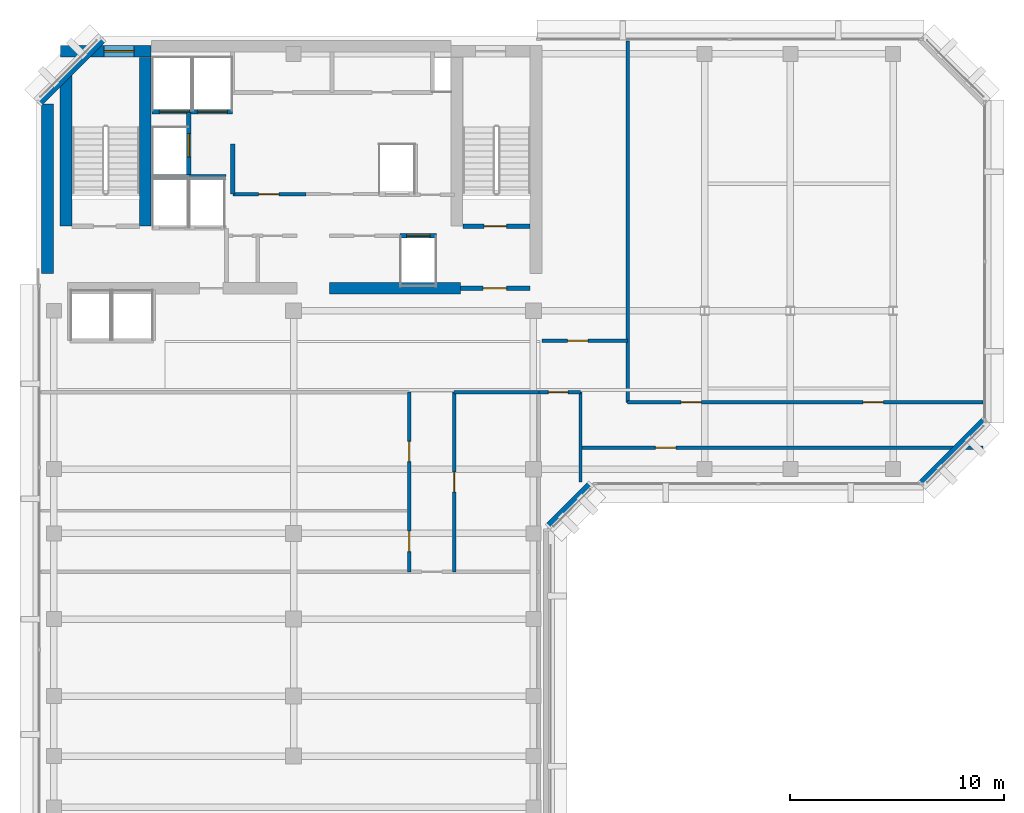
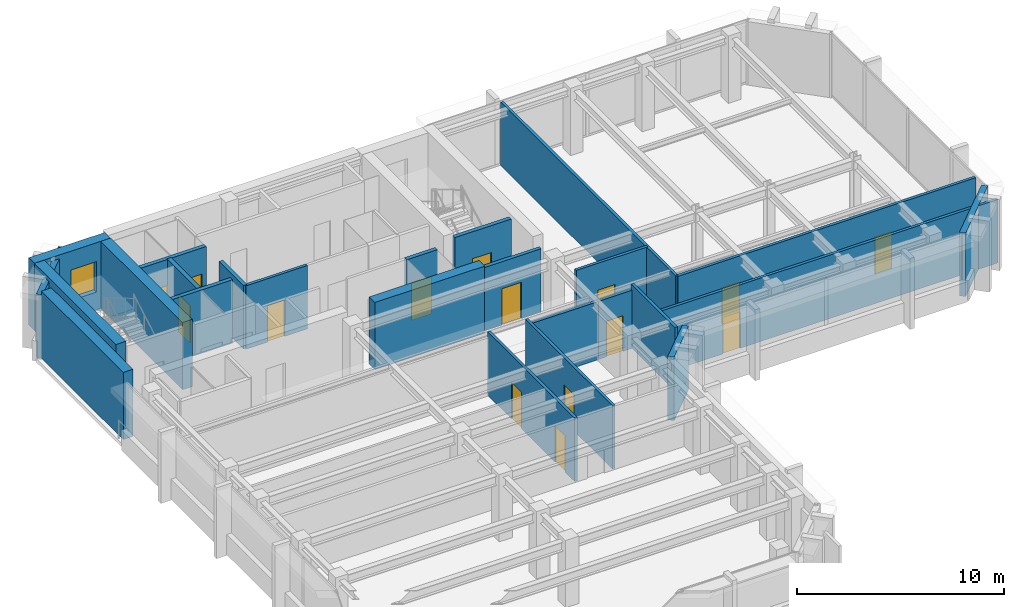
# One storey, part 7 of 11: 25 walls, 15 doors, 1 window, 16 openings.
"""IFC4 building model written with IfcOpenShell, lengths in metres."""

from ifc_helpers import new_model, si_unit, direction, frame, frame_2d, origin, place, context, subcontext, project, spatial, rectangle, extrude, material, layer, layer_set, type_object, element, fill, save


model = new_model("IFC4")

# Units and contexts
model_context = context("Model", 3, precision=1e-05, world=origin(), true_north=direction((0.0, 1.0)))
body_context = subcontext(model_context, "Body", "Model", "MODEL_VIEW")
ifc_project = project(units=[si_unit("LENGTHUNIT", "METRE"), si_unit("AREAUNIT", "SQUARE_METRE"), si_unit("VOLUMEUNIT", "CUBIC_METRE"), si_unit("PLANEANGLEUNIT", "RADIAN"), si_unit("MASSUNIT", "GRAM", prefix="KILO")], contexts=[model_context])

# Site, building, storey
site_placement = place(None, origin())
site = spatial("IfcSite", under=ifc_project, at=site_placement, CompositionType="ELEMENT")
building_placement = place(site_placement, origin())
building = spatial("IfcBuilding", under=site, at=building_placement, Name="Kefirva Bronze Tower", CompositionType="ELEMENT")
storey_placement = place(building_placement, frame((0.0, 0.0, 323.72998046875)))
storey = spatial("IfcBuildingStorey", under=building, at=storey_placement, Name="L79", CompositionType="ELEMENT", Elevation=323.72998046875)

# Wall, opening, door
ifc_material_1 = material(Name="Gypsum fireboard shaftwall")
ifc_layer_1 = layer(ifc_material_1, 0.219970703125, Name="Gypsum fireboard shaftwall")
ifc_layer_set_1 = layer_set([ifc_layer_1], Name="Gypsum fireboard shaftwall")
wall_type_1 = type_object("IfcWallType", Name="Fire-Rated Shaft Enclosure Wall 220mm", PredefinedType="PARTITIONING", material=ifc_layer_set_1)
wall_1_placement = place(storey_placement, frame((19.89990234375, 37.14990234375, 0.0), z_axis=(0.0, 0.0, 1.0), x_axis=(1.0, 0.0, 0.0)))
wall_1 = element("IfcWall", 1, at=wall_1_placement, inside=storey, type_object=wall_type_1, Name="L79 Partition W-L79-ST2S", PredefinedType="PARTITIONING", context=body_context, shape_type="SweptSolid", body=[
    extrude(rectangle(XDim=3.150146484375, YDim=0.219970703125, at=frame_2d((1.5751953125, 0.0))), origin(), (0.0, 0.0, 1.0), 3.739990234375),
])
opening_1_placement = place(wall_1_placement, frame((2.050048828125, 0.0, 0.0), z_axis=(0.0, 0.0, 1.0), x_axis=(-1.0, 0.0, 0.0)))
opening_1 = element("IfcOpeningElement", 2, at=opening_1_placement, cuts=wall_1, Name="Opening L79-D003", PredefinedType="OPENING", context=body_context, shape_type="SweptSolid", body=[
    extrude(rectangle(XDim=1.050048828125, YDim=2.14990234375, at=frame_2d((0.52490234375, 1.074951171875))), frame((0.0, 0.1201171875, 0.0), z_axis=(0.0, -1.0, 0.0), x_axis=(1.0, 0.0, 0.0)), (0.0, 0.0, 1.0), 0.239990234375),
])
ifc_material_2 = material(Name="Painted galvanized steel", Category="steel")
door_type_1 = type_object("IfcDoorType", Name="Fire Stair Enclosure Door 1050x2150 FD90S", OperationType="NOTDEFINED", PredefinedType="DOOR", material=ifc_material_2)
door_1_placement = place(opening_1_placement, origin())
door_1 = element("IfcDoor", 3, at=door_1_placement, inside=storey, type_object=door_type_1, Name="Door L79-D003", OperationType="SINGLE_SWING_LEFT", OverallHeight=2.14990234375, OverallWidth=1.050048828125, PredefinedType="DOOR", context=body_context, shape_type="SweptSolid", body=[
    extrude(rectangle(XDim=1.050048828125, YDim=2.14990234375, at=frame_2d((0.52490234375, 1.074951171875))), frame((0.0, 0.02490234375, 0.0), z_axis=(0.0, -1.0, 0.0), x_axis=(1.0, 0.0, 0.0)), (0.0, 0.0, 1.0), 0.050048828125),
])
fill(opening_1, door_1)

# Wall
wall_2_placement = place(storey_placement, frame((5.3798828125, 39.449951171875, 0.0), z_axis=(0.0, 0.0, 1.0), x_axis=(1.0, 0.0, 0.0)))
element("IfcWall", 4, at=wall_2_placement, inside=storey, type_object=wall_type_1, Name="L79 Partition W-L79-FFN", PredefinedType="PARTITIONING", context=body_context, shape_type="SweptSolid", body=[
    extrude(rectangle(XDim=3.460205078125, YDim=0.219970703125, at=frame_2d((1.72998046875, 0.0))), origin(), (0.0, 0.0, 1.0), 3.739990234375),
])

# Wall, openings, doors
wall_3_placement = place(storey_placement, frame((5.3798828125, 42.5, 0.0), z_axis=(0.0, 0.0, 1.0), x_axis=(1.0, 0.0, 0.0)))
wall_3 = element("IfcWall", 5, at=wall_3_placement, inside=storey, type_object=wall_type_1, Name="L79 Partition W-L79-SVS", PredefinedType="PARTITIONING", context=body_context, shape_type="SweptSolid", body=[
    extrude(rectangle(XDim=3.77001953125, YDim=0.219970703125, at=frame_2d((1.885009765625, 0.0))), origin(), (0.0, 0.0, 1.0), 3.739990234375),
])
opening_2_placement = place(wall_3_placement, frame((1.75, 0.0, 0.0), z_axis=(0.0, 0.0, 1.0), x_axis=(-1.0, 0.0, 0.0)))
opening_2 = element("IfcOpeningElement", 6, at=opening_2_placement, cuts=wall_3, Name="Opening L79-LD-SV1", PredefinedType="OPENING", context=body_context, shape_type="SweptSolid", body=[
    extrude(rectangle(XDim=1.39990234375, YDim=2.199951171875, at=frame_2d((0.699951171875, 1.10009765625))), frame((0.0, 0.1201171875, 0.0), z_axis=(0.0, -1.0, 0.0), x_axis=(1.0, 0.0, 0.0)), (0.0, 0.0, 1.0), 0.239990234375),
])
opening_3_placement = place(wall_3_placement, frame((3.52978515625, 0.0, 0.0), z_axis=(0.0, 0.0, 1.0), x_axis=(-1.0, 0.0, 0.0)))
opening_3 = element("IfcOpeningElement", 7, at=opening_3_placement, cuts=wall_3, Name="Opening L79-LD-SV2", PredefinedType="OPENING", context=body_context, shape_type="SweptSolid", body=[
    extrude(rectangle(XDim=1.39990234375, YDim=2.199951171875, at=frame_2d((0.699951171875, 1.10009765625))), frame((0.0, 0.1201171875, 0.0), z_axis=(0.0, -1.0, 0.0), x_axis=(1.0, 0.0, 0.0)), (0.0, 0.0, 1.0), 0.239990234375),
])
ifc_material_3 = material(Name="Stainless steel 316", Category="steel")
door_type_2 = type_object("IfcDoorType", Name="Goods Lift Bi-Parting Sliding Door 1400x2200", OperationType="SLIDING_TO_LEFT", PredefinedType="DOOR", material=ifc_material_3)
door_2_placement = place(opening_2_placement, origin())
door_2 = element("IfcDoor", 8, at=door_2_placement, inside=storey, type_object=door_type_2, Name="Door L79-LD-SV1", OperationType="SLIDING_TO_LEFT", OverallHeight=2.199951171875, OverallWidth=1.39990234375, PredefinedType="DOOR", context=body_context, shape_type="SweptSolid", body=[
    extrude(rectangle(XDim=1.39990234375, YDim=2.199951171875, at=frame_2d((0.699951171875, 1.10009765625))), frame((0.0, 0.02490234375, 0.0), z_axis=(0.0, -1.0, 0.0), x_axis=(1.0, 0.0, 0.0)), (0.0, 0.0, 1.0), 0.050048828125),
])
fill(opening_2, door_2)
door_3_placement = place(opening_3_placement, origin())
door_3 = element("IfcDoor", 9, at=door_3_placement, inside=storey, type_object=door_type_2, Name="Door L79-LD-SV2", OperationType="SLIDING_TO_LEFT", OverallHeight=2.199951171875, OverallWidth=1.39990234375, PredefinedType="DOOR", context=body_context, shape_type="SweptSolid", body=[
    extrude(rectangle(XDim=1.39990234375, YDim=2.199951171875, at=frame_2d((0.699951171875, 1.10009765625))), frame((0.0, 0.02490234375, 0.0), z_axis=(0.0, -1.0, 0.0), x_axis=(1.0, 0.0, 0.0)), (0.0, 0.0, 1.0), 0.050048828125),
])
fill(opening_3, door_3)

# Wall, opening, door
wall_4_placement = place(storey_placement, frame((7.10009765625, 39.52001953125, 0.0), z_axis=(0.0, 0.0, 1.0), x_axis=(0.0, 1.0, 0.0)))
wall_4 = element("IfcWall", 10, at=wall_4_placement, inside=storey, type_object=wall_type_1, Name="L79 Partition W-L79-HP3E", PredefinedType="PARTITIONING", context=body_context, shape_type="SweptSolid", body=[
    extrude(rectangle(XDim=2.929931640625, YDim=0.219970703125, at=frame_2d((1.46484375, 0.0))), origin(), (0.0, 0.0, 1.0), 3.739990234375),
])
opening_4_placement = place(wall_4_placement, frame((0.85009765625, 0.0, 0.0)))
opening_4 = element("IfcOpeningElement", 11, at=opening_4_placement, cuts=wall_4, Name="Opening L79-LD-HP3", PredefinedType="OPENING", context=body_context, shape_type="SweptSolid", body=[
    extrude(rectangle(XDim=1.10009765625, YDim=2.199951171875, at=frame_2d((0.550048828125, 1.10009765625))), frame((0.0, 0.1201171875, 0.0), z_axis=(0.0, -1.0, 0.0), x_axis=(1.0, 0.0, 0.0)), (0.0, 0.0, 1.0), 0.239990234375),
])
door_type_3 = type_object("IfcDoorType", Name="Passenger Lift Sliding Landing Door 1100x2200", OperationType="SLIDING_TO_LEFT", PredefinedType="DOOR", material=ifc_material_3)
door_4_placement = place(opening_4_placement, origin())
door_4 = element("IfcDoor", 12, at=door_4_placement, inside=storey, type_object=door_type_3, Name="Door L79-LD-HP3", OperationType="SLIDING_TO_LEFT", OverallHeight=2.199951171875, OverallWidth=1.10009765625, PredefinedType="DOOR", context=body_context, shape_type="SweptSolid", body=[
    extrude(rectangle(XDim=1.10009765625, YDim=2.199951171875, at=frame_2d((0.550048828125, 1.10009765625))), frame((0.0, 0.02490234375, 0.0), z_axis=(0.0, -1.0, 0.0), x_axis=(1.0, 0.0, 0.0)), (0.0, 0.0, 1.0), 0.050048828125),
])
fill(opening_4, door_4)

# Wall
wall_5_placement = place(storey_placement, frame((9.159912109375, 38.64990234375, 0.0), z_axis=(0.0, 0.0, 1.0), x_axis=(0.0, 1.0, 0.0)))
element("IfcWall", 13, at=wall_5_placement, inside=storey, type_object=wall_type_1, Name="L79 Partition W-L79-LP3W", PredefinedType="PARTITIONING", context=body_context, shape_type="SweptSolid", body=[
    extrude(rectangle(XDim=2.35009765625, YDim=0.199951171875, at=frame_2d((1.175048828125, 0.0))), origin(), (0.0, 0.0, 1.0), 3.739990234375),
])

# Wall, opening, door
wall_6_placement = place(storey_placement, frame((16.97998046875, 36.699951171875, 0.0), z_axis=(0.0, 0.0, 1.0), x_axis=(1.0, 0.0, 0.0)))
wall_6 = element("IfcWall", 14, at=wall_6_placement, inside=storey, type_object=wall_type_1, Name="L79 Partition W-L79-HPS", PredefinedType="PARTITIONING", context=body_context, shape_type="SweptSolid", body=[
    extrude(rectangle(XDim=1.699951171875, YDim=0.219970703125, at=frame_2d((0.85009765625, 0.0))), origin(), (0.0, 0.0, 1.0), 3.739990234375),
])
opening_5_placement = place(wall_6_placement, frame((0.300048828125, 0.0, 0.0)))
opening_5 = element("IfcOpeningElement", 15, at=opening_5_placement, cuts=wall_6, Name="Opening L79-LD-HP1", PredefinedType="OPENING", context=body_context, shape_type="SweptSolid", body=[
    extrude(rectangle(XDim=1.10009765625, YDim=2.199951171875, at=frame_2d((0.550048828125, 1.10009765625))), frame((0.0, 0.1201171875, 0.0), z_axis=(0.0, -1.0, 0.0), x_axis=(1.0, 0.0, 0.0)), (0.0, 0.0, 1.0), 0.239990234375),
])
door_5_placement = place(opening_5_placement, origin())
door_5 = element("IfcDoor", 16, at=door_5_placement, inside=storey, type_object=door_type_3, Name="Door L79-LD-HP1", OperationType="SLIDING_TO_LEFT", OverallHeight=2.199951171875, OverallWidth=1.10009765625, PredefinedType="DOOR", context=body_context, shape_type="SweptSolid", body=[
    extrude(rectangle(XDim=1.10009765625, YDim=2.199951171875, at=frame_2d((0.550048828125, 1.10009765625))), frame((0.0, 0.02490234375, 0.0), z_axis=(0.0, -1.0, 0.0), x_axis=(1.0, 0.0, 0.0)), (0.0, 0.0, 1.0), 0.050048828125),
])
fill(opening_5, door_5)

ifc_material_4 = material(Name="Gypsum fireboard barrier")
ifc_layer_2 = layer(ifc_material_4, 0.199951171875, Name="Gypsum fireboard barrier")
ifc_layer_set_2 = layer_set([ifc_layer_2], Name="Gypsum fireboard barrier")
wall_type_2 = type_object("IfcWallType", Name="Firefighting Lobby Barrier Wall 200mm", PredefinedType="PARTITIONING", material=ifc_layer_set_2)
wall_7_placement = place(storey_placement, frame((19.800048828125, 34.25, 0.0), z_axis=(0.0, 0.0, 1.0), x_axis=(1.0, 0.0, 0.0)))
wall_7 = element("IfcWall", 17, at=wall_7_placement, inside=storey, type_object=wall_type_2, Name="L79 Partition W-L79-ST2F", PredefinedType="PARTITIONING", context=body_context, shape_type="SweptSolid", body=[
    extrude(rectangle(XDim=3.25, YDim=0.199951171875, at=frame_2d((1.625, 0.0))), origin(), (0.0, 0.0, 1.0), 3.739990234375),
])
opening_6_placement = place(wall_7_placement, frame((2.150146484375, 0.0, 0.0), z_axis=(0.0, 0.0, 1.0), x_axis=(-1.0, 0.0, 0.0)))
opening_6 = element("IfcOpeningElement", 18, at=opening_6_placement, cuts=wall_7, Name="Opening L79-D004", PredefinedType="OPENING", context=body_context, shape_type="SweptSolid", body=[
    extrude(rectangle(XDim=1.10009765625, YDim=2.14990234375, at=frame_2d((0.550048828125, 1.074951171875))), frame((0.0, 0.10986328125, 0.0), z_axis=(0.0, -1.0, 0.0), x_axis=(1.0, 0.0, 0.0)), (0.0, 0.0, 1.0), 0.219970703125),
])
door_type_4 = type_object("IfcDoorType", Name="Firefighting Lobby Smoke Door 1100x2150 FD60S", OperationType="NOTDEFINED", PredefinedType="DOOR", material=ifc_material_2)
door_6_placement = place(opening_6_placement, origin())
door_6 = element("IfcDoor", 19, at=door_6_placement, inside=storey, type_object=door_type_4, Name="Door L79-D004", OperationType="SINGLE_SWING_RIGHT", OverallHeight=2.14990234375, OverallWidth=1.10009765625, PredefinedType="DOOR", context=body_context, shape_type="SweptSolid", body=[
    extrude(rectangle(XDim=1.10009765625, YDim=2.14990234375, at=frame_2d((0.550048828125, 1.074951171875))), frame((0.0, 0.02490234375, 0.0), z_axis=(0.0, -1.0, 0.0), x_axis=(1.0, 0.0, 0.0)), (0.0, 0.0, 1.0), 0.050048828125),
])
fill(opening_6, door_6)

# Walls
ifc_material_5 = material(Name="Precast concrete C40/50", Category="concrete")
ifc_layer_3 = layer(ifc_material_5, 0.320068359375, Name="Precast concrete C40/50")
ifc_layer_set_3 = layer_set([ifc_layer_3], Name="Precast concrete C40/50")
wall_type_3 = type_object("IfcWallType", Name="Precast Insulated Exterior Wall 320mm", PredefinedType="SOLIDWALL", material=ifc_layer_set_3)
wall_8_placement = place(storey_placement, frame((23.92578125, 23.152099609375, 0.0), z_axis=(0.0, 0.0, 1.0), x_axis=(0.707106781187, 0.707106781187, 0.0)))
element("IfcWall", 20, at=wall_8_placement, inside=storey, type_object=wall_type_3, Name="L79 Exterior Facade Wall 3", PredefinedType="SOLIDWALL", context=body_context, shape_type="SweptSolid", body=[
    extrude(rectangle(XDim=2.71826171875, YDim=0.320068359375, at=frame_2d((1.359130859375, 0.0))), origin(), (0.0, 0.0, 1.0), 3.739990234375),
])
for number, where, z_axis, x_axis, name in (
    (21, (41.32568359375, 25.152099609375, 0.0), (0.0, 0.0, 1.0), (0.707136318428, 0.707077242712, 0.0), "L79 Exterior Facade Wall 4"),
    (22, (3.07421875, 45.847900390625, 0.0), (0.0, 0.0, 1.0), (-0.707106781187, -0.707106781187, 0.0), "L79 Exterior Facade Wall 6"),
):
    element("IfcWall", number, at=place(storey_placement, frame(where, z_axis=z_axis, x_axis=x_axis)), inside=storey, type_object=wall_type_3, Name=name, PredefinedType="SOLIDWALL", context=body_context, shape_type="SweptSolid", body=[
        extrude(rectangle(XDim=4.132568359375, YDim=0.320068359375, at=frame_2d((2.06640625, 0.0))), origin(), (0.0, 0.0, 1.0), 3.739990234375),
    ])

# Wall, opening, door
ifc_material_6 = material(Name="Gypsum acoustic partition")
ifc_layer_4 = layer(ifc_material_6, 0.159912109375, Name="Gypsum acoustic partition")
ifc_layer_set_4 = layer_set([ifc_layer_4], Name="Gypsum acoustic partition")
wall_type_4 = type_object("IfcWallType", Name="Protected Corridor Partition 160mm", PredefinedType="PARTITIONING", material=ifc_layer_set_4)
wall_9_placement = place(storey_placement, frame((9.159912109375, 38.64990234375, 0.0), z_axis=(0.0, 0.0, 1.0), x_axis=(1.0, 0.0, 0.0)))
wall_9 = element("IfcWall", 23, at=wall_9_placement, inside=storey, type_object=wall_type_4, Name="L79 Partition W-L79-RECLP2", PredefinedType="PARTITIONING", context=body_context, shape_type="SweptSolid", body=[
    extrude(rectangle(XDim=3.420166015625, YDim=0.159912109375, at=frame_2d((1.7099609375, 0.0))), origin(), (0.0, 0.0, 1.0), 3.739990234375),
])
opening_7_placement = place(wall_9_placement, frame((2.14990234375, 0.0, 0.0), z_axis=(0.0, 0.0, 1.0), x_axis=(-1.0, 0.0, 0.0)))
opening_7 = element("IfcOpeningElement", 24, at=opening_7_placement, cuts=wall_9, Name="Opening L79-D-RECLP2", PredefinedType="OPENING", context=body_context, shape_type="SweptSolid", body=[
    extrude(rectangle(XDim=0.949951171875, YDim=2.14990234375, at=frame_2d((0.47509765625, 1.074951171875))), frame((0.0, 0.08984375, 0.0), z_axis=(0.0, -1.0, 0.0), x_axis=(1.0, 0.0, 0.0)), (0.0, 0.0, 1.0), 0.179931640625),
])
ifc_material_7 = material(Name="Acoustic hardwood oak", Category="wood")
door_type_5 = type_object("IfcDoorType", Name="Office & Meeting Room Door 950x2150", OperationType="NOTDEFINED", PredefinedType="DOOR", material=ifc_material_7)
door_7_placement = place(opening_7_placement, origin())
door_7 = element("IfcDoor", 25, at=door_7_placement, inside=storey, type_object=door_type_5, Name="Door L79-D-RECLP2", OperationType="SINGLE_SWING_RIGHT", OverallHeight=2.14990234375, OverallWidth=0.949951171875, PredefinedType="DOOR", context=body_context, shape_type="SweptSolid", body=[
    extrude(rectangle(XDim=0.949951171875, YDim=2.14990234375, at=frame_2d((0.47509765625, 1.074951171875))), frame((0.0, 0.02490234375, 0.0), z_axis=(0.0, -1.0, 0.0), x_axis=(1.0, 0.0, 0.0)), (0.0, 0.0, 1.0), 0.050048828125),
])
fill(opening_7, door_7)

# Wall, openings, doors
wall_10_placement = place(storey_placement, frame((17.39990234375, 21.0, 0.0), z_axis=(0.0, 0.0, 1.0), x_axis=(0.0, 1.0, 0.0)))
wall_10 = element("IfcWall", 26, at=wall_10_placement, inside=storey, type_object=wall_type_4, Name="L79 Partition W-L79-SWCORW", PredefinedType="PARTITIONING", context=body_context, shape_type="SweptSolid", body=[
    extrude(rectangle(XDim=8.39990234375, YDim=0.159912109375, at=frame_2d((4.199951171875, 0.0))), origin(), (0.0, 0.0, 1.0), 3.739990234375),
])
opening_8_placement = place(wall_10_placement, frame((1.90283203125, 0.0, 0.0), z_axis=(0.0, 0.0, 1.0), x_axis=(-1.0, 0.0, 0.0)))
opening_8 = element("IfcOpeningElement", 27, at=opening_8_placement, cuts=wall_10, Name="Opening L79-D-SW1", PredefinedType="OPENING", context=body_context, shape_type="SweptSolid", body=[
    extrude(rectangle(XDim=0.949951171875, YDim=2.14990234375, at=frame_2d((0.47509765625, 1.074951171875))), frame((0.0, 0.08984375, 0.0), z_axis=(0.0, -1.0, 0.0), x_axis=(1.0, 0.0, 0.0)), (0.0, 0.0, 1.0), 0.179931640625),
])
opening_9_placement = place(wall_10_placement, frame((6.10302734375, 0.0, 0.0), z_axis=(0.0, 0.0, 1.0), x_axis=(-1.0, 0.0, 0.0)))
opening_9 = element("IfcOpeningElement", 28, at=opening_9_placement, cuts=wall_10, Name="Opening L79-D-SW2", PredefinedType="OPENING", context=body_context, shape_type="SweptSolid", body=[
    extrude(rectangle(XDim=0.949951171875, YDim=2.14990234375, at=frame_2d((0.47509765625, 1.074951171875))), frame((0.0, 0.08984375, 0.0), z_axis=(0.0, -1.0, 0.0), x_axis=(1.0, 0.0, 0.0)), (0.0, 0.0, 1.0), 0.179931640625),
])
door_8_placement = place(opening_8_placement, origin())
door_8 = element("IfcDoor", 29, at=door_8_placement, inside=storey, type_object=door_type_5, Name="Door L79-D-SW1", OperationType="SINGLE_SWING_RIGHT", OverallHeight=2.14990234375, OverallWidth=0.949951171875, PredefinedType="DOOR", context=body_context, shape_type="SweptSolid", body=[
    extrude(rectangle(XDim=0.949951171875, YDim=2.14990234375, at=frame_2d((0.47509765625, 1.074951171875))), frame((0.0, 0.02490234375, 0.0), z_axis=(0.0, -1.0, 0.0), x_axis=(1.0, 0.0, 0.0)), (0.0, 0.0, 1.0), 0.050048828125),
])
fill(opening_8, door_8)
door_9_placement = place(opening_9_placement, origin())
door_9 = element("IfcDoor", 30, at=door_9_placement, inside=storey, type_object=door_type_5, Name="Door L79-D-SW2", OperationType="SINGLE_SWING_LEFT", OverallHeight=2.14990234375, OverallWidth=0.949951171875, PredefinedType="DOOR", context=body_context, shape_type="SweptSolid", body=[
    extrude(rectangle(XDim=0.949951171875, YDim=2.14990234375, at=frame_2d((0.47509765625, 1.074951171875))), frame((0.0, 0.02490234375, 0.0), z_axis=(0.0, -1.0, 0.0), x_axis=(1.0, 0.0, 0.0)), (0.0, 0.0, 1.0), 0.050048828125),
])
fill(opening_9, door_9)

# Wall, opening, door
wall_11_placement = place(storey_placement, frame((19.5, 21.0, 0.0), z_axis=(0.0, 0.0, 1.0), x_axis=(0.0, 1.0, 0.0)))
wall_11 = element("IfcWall", 31, at=wall_11_placement, inside=storey, type_object=wall_type_4, Name="L79 Partition W-L79-SECORE", PredefinedType="PARTITIONING", context=body_context, shape_type="SweptSolid", body=[
    extrude(rectangle(XDim=8.39990234375, YDim=0.159912109375, at=frame_2d((4.199951171875, 0.0))), origin(), (0.0, 0.0, 1.0), 3.739990234375),
])
opening_10_placement = place(wall_11_placement, frame((3.72509765625, 0.0, 0.0)))
opening_10 = element("IfcOpeningElement", 32, at=opening_10_placement, cuts=wall_11, Name="Opening L79-D-SE1", PredefinedType="OPENING", context=body_context, shape_type="SweptSolid", body=[
    extrude(rectangle(XDim=0.949951171875, YDim=2.14990234375, at=frame_2d((0.47509765625, 1.074951171875))), frame((0.0, 0.08984375, 0.0), z_axis=(0.0, -1.0, 0.0), x_axis=(1.0, 0.0, 0.0)), (0.0, 0.0, 1.0), 0.179931640625),
])
door_10_placement = place(opening_10_placement, origin())
door_10 = element("IfcDoor", 33, at=door_10_placement, inside=storey, type_object=door_type_5, Name="Door L79-D-SE1", OperationType="SINGLE_SWING_RIGHT", OverallHeight=2.14990234375, OverallWidth=0.949951171875, PredefinedType="DOOR", context=body_context, shape_type="SweptSolid", body=[
    extrude(rectangle(XDim=0.949951171875, YDim=2.14990234375, at=frame_2d((0.47509765625, 1.074951171875))), frame((0.0, 0.02490234375, 0.0), z_axis=(0.0, -1.0, 0.0), x_axis=(1.0, 0.0, 0.0)), (0.0, 0.0, 1.0), 0.050048828125),
])
fill(opening_10, door_10)

# Walls
wall_12_placement = place(storey_placement, frame((19.5, 29.39990234375, 0.0), z_axis=(0.0, 0.0, 1.0), x_axis=(1.0, 0.0, 0.0)))
element("IfcWall", 34, at=wall_12_placement, inside=storey, type_object=wall_type_4, Name="L79 Partition W-L79-NET", PredefinedType="PARTITIONING", context=body_context, shape_type="SweptSolid", body=[
    extrude(rectangle(XDim=3.949951171875, YDim=0.159912109375, at=frame_2d((1.97509765625, 0.0))), origin(), (0.0, 0.0, 1.0), 3.425048828125),
])
wall_13_placement = place(storey_placement, frame((25.39990234375, 25.18994140625, 0.0), z_axis=(0.0, 0.0, 1.0), x_axis=(0.0, 1.0, 0.0)))
element("IfcWall", 35, at=wall_13_placement, inside=storey, type_object=wall_type_4, Name="L79 Partition W-L79-E29W", PredefinedType="PARTITIONING", context=body_context, shape_type="SweptSolid", body=[
    extrude(rectangle(XDim=4.2099609375, YDim=0.159912109375, at=frame_2d((2.10498046875, 0.0))), origin(), (0.0, 0.0, 1.0), 3.739990234375),
])

# Wall, opening, door
wall_14_placement = place(storey_placement, frame((23.60009765625, 31.800048828125, 0.0), z_axis=(0.0, 0.0, 1.0), x_axis=(1.0, 0.0, 0.0)))
wall_14 = element("IfcWall", 36, at=wall_14_placement, inside=storey, type_object=wall_type_4, Name="L79 Partition W-L79-E29N0", PredefinedType="PARTITIONING", context=body_context, shape_type="SweptSolid", body=[
    extrude(rectangle(XDim=4.0, YDim=0.159912109375, at=frame_2d((2.0, 0.0))), origin(), (0.0, 0.0, 1.0), 3.739990234375),
])
opening_11_placement = place(wall_14_placement, frame((1.199951171875, 0.0, 0.0)))
opening_11 = element("IfcOpeningElement", 37, at=opening_11_placement, cuts=wall_14, Name="Opening L79-D-E29NW", PredefinedType="OPENING", context=body_context, shape_type="SweptSolid", body=[
    extrude(rectangle(XDim=0.949951171875, YDim=2.14990234375, at=frame_2d((0.47509765625, 1.074951171875))), frame((0.0, 0.08984375, 0.0), z_axis=(0.0, -1.0, 0.0), x_axis=(1.0, 0.0, 0.0)), (0.0, 0.0, 1.0), 0.179931640625),
])
door_11_placement = place(opening_11_placement, origin())
door_11 = element("IfcDoor", 38, at=door_11_placement, inside=storey, type_object=door_type_5, Name="Door L79-D-E29NW", OperationType="SINGLE_SWING_LEFT", OverallHeight=2.14990234375, OverallWidth=0.949951171875, PredefinedType="DOOR", context=body_context, shape_type="SweptSolid", body=[
    extrude(rectangle(XDim=0.949951171875, YDim=2.14990234375, at=frame_2d((0.47509765625, 1.074951171875))), frame((0.0, 0.02490234375, 0.0), z_axis=(0.0, -1.0, 0.0), x_axis=(1.0, 0.0, 0.0)), (0.0, 0.0, 1.0), 0.050048828125),
])
fill(opening_11, door_11)

# Wall
wall_15_placement = place(storey_placement, frame((27.60009765625, 28.919921875, 0.0), z_axis=(0.0, 0.0, 1.0), x_axis=(0.0, 1.0, 0.0)))
element("IfcWall", 39, at=wall_15_placement, inside=storey, type_object=wall_type_4, Name="L79 Partition W-L79-E29NW", PredefinedType="PARTITIONING", context=body_context, shape_type="SweptSolid", body=[
    extrude(rectangle(XDim=16.89013671875, YDim=0.159912109375, at=frame_2d((8.445068359375, 0.0))), origin(), (0.0, 0.0, 1.0), 3.739990234375),
])

# Wall, opening, door
wall_16_placement = place(storey_placement, frame((25.39990234375, 26.800048828125, 0.0), z_axis=(0.0, 0.0, 1.0), x_axis=(1.0, 0.0, 0.0)))
wall_16 = element("IfcWall", 40, at=wall_16_placement, inside=storey, type_object=wall_type_4, Name="L79 Partition W-L79-E29S", PredefinedType="PARTITIONING", context=body_context, shape_type="SweptSolid", body=[
    extrude(rectangle(XDim=18.81005859375, YDim=0.159912109375, at=frame_2d((9.405029296875, 0.0))), origin(), (0.0, 0.0, 1.0), 3.739990234375),
])
opening_12_placement = place(wall_16_placement, frame((4.449951171875, 0.0, 0.0), z_axis=(0.0, 0.0, 1.0), x_axis=(-1.0, 0.0, 0.0)))
opening_12 = element("IfcOpeningElement", 41, at=opening_12_placement, cuts=wall_16, Name="Opening L79-D-E29S1", PredefinedType="OPENING", context=body_context, shape_type="SweptSolid", body=[
    extrude(rectangle(XDim=0.949951171875, YDim=2.14990234375, at=frame_2d((0.47509765625, 1.074951171875))), frame((0.0, 0.08984375, 0.0), z_axis=(0.0, -1.0, 0.0), x_axis=(1.0, 0.0, 0.0)), (0.0, 0.0, 1.0), 0.179931640625),
])
door_12_placement = place(opening_12_placement, origin())
door_12 = element("IfcDoor", 42, at=door_12_placement, inside=storey, type_object=door_type_5, Name="Door L79-D-E29S1", OperationType="SINGLE_SWING_LEFT", OverallHeight=2.14990234375, OverallWidth=0.949951171875, PredefinedType="DOOR", context=body_context, shape_type="SweptSolid", body=[
    extrude(rectangle(XDim=0.949951171875, YDim=2.14990234375, at=frame_2d((0.47509765625, 1.074951171875))), frame((0.0, 0.02490234375, 0.0), z_axis=(0.0, -1.0, 0.0), x_axis=(1.0, 0.0, 0.0)), (0.0, 0.0, 1.0), 0.050048828125),
])
fill(opening_12, door_12)

# Wall, openings, doors
wall_17_placement = place(storey_placement, frame((27.60009765625, 28.919921875, 0.0), z_axis=(0.0, 0.0, 1.0), x_axis=(1.0, 0.0, 0.0)))
wall_17 = element("IfcWall", 43, at=wall_17_placement, inside=storey, type_object=wall_type_4, Name="L79 Partition W-L79-E29N", PredefinedType="PARTITIONING", context=body_context, shape_type="SweptSolid", body=[
    extrude(rectangle(XDim=16.60986328125, YDim=0.159912109375, at=frame_2d((8.304931640625, 0.0))), origin(), (0.0, 0.0, 1.0), 3.739990234375),
])
opening_13_placement = place(wall_17_placement, frame((2.5, 0.0, 0.0)))
opening_13 = element("IfcOpeningElement", 44, at=opening_13_placement, cuts=wall_17, Name="Opening L79-D-E29BIG1", PredefinedType="OPENING", context=body_context, shape_type="SweptSolid", body=[
    extrude(rectangle(XDim=0.949951171875, YDim=2.14990234375, at=frame_2d((0.47509765625, 1.074951171875))), frame((0.0, 0.08984375, 0.0), z_axis=(0.0, -1.0, 0.0), x_axis=(1.0, 0.0, 0.0)), (0.0, 0.0, 1.0), 0.179931640625),
])
opening_14_placement = place(wall_17_placement, frame((11.0, 0.0, 0.0)))
opening_14 = element("IfcOpeningElement", 45, at=opening_14_placement, cuts=wall_17, Name="Opening L79-D-E29BIG2", PredefinedType="OPENING", context=body_context, shape_type="SweptSolid", body=[
    extrude(rectangle(XDim=0.949951171875, YDim=2.14990234375, at=frame_2d((0.47509765625, 1.074951171875))), frame((0.0, 0.08984375, 0.0), z_axis=(0.0, -1.0, 0.0), x_axis=(1.0, 0.0, 0.0)), (0.0, 0.0, 1.0), 0.179931640625),
])
door_13_placement = place(opening_13_placement, origin())
door_13 = element("IfcDoor", 46, at=door_13_placement, inside=storey, type_object=door_type_5, Name="Door L79-D-E29BIG1", OperationType="SINGLE_SWING_RIGHT", OverallHeight=2.14990234375, OverallWidth=0.949951171875, PredefinedType="DOOR", context=body_context, shape_type="SweptSolid", body=[
    extrude(rectangle(XDim=0.949951171875, YDim=2.14990234375, at=frame_2d((0.47509765625, 1.074951171875))), frame((0.0, 0.02490234375, 0.0), z_axis=(0.0, -1.0, 0.0), x_axis=(1.0, 0.0, 0.0)), (0.0, 0.0, 1.0), 0.050048828125),
])
fill(opening_13, door_13)
door_14_placement = place(opening_14_placement, origin())
door_14 = element("IfcDoor", 47, at=door_14_placement, inside=storey, type_object=door_type_5, Name="Door L79-D-E29BIG2", OperationType="SINGLE_SWING_LEFT", OverallHeight=2.14990234375, OverallWidth=0.949951171875, PredefinedType="DOOR", context=body_context, shape_type="SweptSolid", body=[
    extrude(rectangle(XDim=0.949951171875, YDim=2.14990234375, at=frame_2d((0.47509765625, 1.074951171875))), frame((0.0, 0.02490234375, 0.0), z_axis=(0.0, -1.0, 0.0), x_axis=(1.0, 0.0, 0.0)), (0.0, 0.0, 1.0), 0.050048828125),
])
fill(opening_14, door_14)

# Wall, opening, door
wall_18_placement = place(storey_placement, frame((23.449951171875, 29.39990234375, 0.0), z_axis=(0.0, 0.0, 1.0), x_axis=(1.0, 0.0, 0.0)))
wall_18 = element("IfcWall", 48, at=wall_18_placement, inside=storey, type_object=wall_type_4, Name="L79 Partition W-L79-E29WP", PredefinedType="PARTITIONING", context=body_context, shape_type="SweptSolid", body=[
    extrude(rectangle(XDim=1.949951171875, YDim=0.159912109375, at=frame_2d((0.97509765625, 0.0))), origin(), (0.0, 0.0, 1.0), 3.425048828125),
])
opening_15_placement = place(wall_18_placement, frame((1.369873046875, 0.0, 0.0), z_axis=(0.0, 0.0, 1.0), x_axis=(-1.0, 0.0, 0.0)))
opening_15 = element("IfcOpeningElement", 49, at=opening_15_placement, cuts=wall_18, Name="Opening L79-D-E29WP", PredefinedType="OPENING", context=body_context, shape_type="SweptSolid", body=[
    extrude(rectangle(XDim=0.919921875, YDim=2.10009765625, at=frame_2d((0.4599609375, 1.050048828125))), frame((0.0, 0.08984375, 0.0), z_axis=(0.0, -1.0, 0.0), x_axis=(1.0, 0.0, 0.0)), (0.0, 0.0, 1.0), 0.179931640625),
])
ifc_material_8 = material(Name="Moisture-resistant timber", Category="wood")
door_type_6 = type_object("IfcDoorType", Name="Accessible Sanitary & WC Door 920x2100", OperationType="NOTDEFINED", PredefinedType="DOOR", material=ifc_material_8)
door_15_placement = place(opening_15_placement, origin())
door_15 = element("IfcDoor", 50, at=door_15_placement, inside=storey, type_object=door_type_6, Name="Door L79-D-E29WP", OperationType="SINGLE_SWING_RIGHT", OverallHeight=2.10009765625, OverallWidth=0.919921875, PredefinedType="DOOR", context=body_context, shape_type="SweptSolid", body=[
    extrude(rectangle(XDim=0.919921875, YDim=2.10009765625, at=frame_2d((0.4599609375, 1.050048828125))), frame((0.0, 0.02490234375, 0.0), z_axis=(0.0, -1.0, 0.0), x_axis=(1.0, 0.0, 0.0)), (0.0, 0.0, 1.0), 0.050048828125),
])
fill(opening_15, door_15)

# Wall
ifc_material_9 = material(Name="Concrete C50/60", Category="concrete")
ifc_layer_5 = layer(ifc_material_9, 0.550048828125, Name="Concrete C50/60")
ifc_layer_set_5 = layer_set([ifc_layer_5], Name="Concrete C50/60")
wall_type_5 = type_object("IfcWallType", Name="RC Rear Core Exterior Wall 550mm", PredefinedType="SHEAR", material=ifc_layer_set_5)
wall_19_placement = place(storey_placement, frame((0.5, 34.949951171875, 0.0), z_axis=(0.0, 0.0, 1.0), x_axis=(0.0, 1.0, 0.0)))
element("IfcWall", 51, at=wall_19_placement, inside=storey, type_object=wall_type_5, Name="L79 Rear Core West Shear Wall", PredefinedType="SHEAR", context=body_context, shape_type="SweptSolid", body=[
    extrude(rectangle(XDim=7.900146484375, YDim=0.550048828125, at=frame_2d((3.9501953125, 0.0))), origin(), (0.0, 0.0, 1.0), 3.9599609375),
])

# Wall, opening, window
wall_20_placement = place(storey_placement, frame((1.10009765625, 45.320068359375, 0.0), z_axis=(0.0, 0.0, 1.0), x_axis=(1.0, 0.0, 0.0)))
wall_20 = element("IfcWall", 52, at=wall_20_placement, inside=storey, type_object=wall_type_5, Name="L79 Stair 1 North Shear Wall", PredefinedType="SHEAR", context=body_context, shape_type="SweptSolid", body=[
    extrude(rectangle(XDim=4.239990234375, YDim=0.550048828125, at=frame_2d((2.1201171875, 0.0))), origin(), (0.0, 0.0, 1.0), 3.9599609375),
])
opening_16_placement = place(wall_20_placement, frame((2.050048828125, 0.0, 1.050048828125)))
opening_16 = element("IfcOpeningElement", 53, at=opening_16_placement, cuts=wall_20, Name="Opening WN-03", PredefinedType="OPENING", context=body_context, shape_type="SweptSolid", body=[
    extrude(rectangle(XDim=1.39990234375, YDim=1.800048828125, at=frame_2d((0.699951171875, 0.89990234375))), frame((0.0, 0.28515625, 0.0), z_axis=(0.0, -1.0, 0.0), x_axis=(1.0, 0.0, 0.0)), (0.0, 0.0, 1.0), 0.570068359375),
])
ifc_material_10 = material(Name="Laminated low-E double glazing", Category="glass")
window_type = type_object("IfcWindowType", Name="Rear-Core Stair Daylight Window 1400x1800", PartitioningType="SINGLE_PANEL", PredefinedType="WINDOW", material=ifc_material_10)
window_placement = place(opening_16_placement, origin())
window = element("IfcWindow", 54, at=window_placement, inside=storey, type_object=window_type, Name="L79 Stair 1 Daylight Window", OverallHeight=1.800048828125, OverallWidth=1.39990234375, PartitioningType="SINGLE_PANEL", PredefinedType="WINDOW", context=body_context, shape_type="SweptSolid", body=[
    extrude(rectangle(XDim=1.39990234375, YDim=1.800048828125, at=frame_2d((0.699951171875, 0.89990234375))), frame((0.0, 0.030029296875, 0.0), z_axis=(0.0, -1.0, 0.0), x_axis=(1.0, 0.0, 0.0)), (0.0, 0.0, 1.0), 0.06005859375),
])
fill(opening_16, window)

# Walls
ifc_layer_6 = layer(ifc_material_9, 0.550048828125, Name="Concrete C50/60")
ifc_layer_set_6 = layer_set([ifc_layer_6], Name="Concrete C50/60")
wall_type_6 = type_object("IfcWallType", Name="RC Rear Core Interior Wall 550mm", PredefinedType="SHEAR", material=ifc_layer_set_6)
wall_21_placement = place(storey_placement, frame((13.679931640625, 34.25, 0.0), z_axis=(0.0, 0.0, 1.0), x_axis=(1.0, 0.0, 0.0)))
element("IfcWall", 55, at=wall_21_placement, inside=storey, type_object=wall_type_6, Name="L79 Rear Core South-East Shear Wall", PredefinedType="SHEAR", context=body_context, shape_type="SweptSolid", body=[
    extrude(rectangle(XDim=6.1201171875, YDim=0.550048828125, at=frame_2d((3.06005859375, 0.0))), origin(), (0.0, 0.0, 1.0), 3.9599609375),
])
for number, where, z_axis, x_axis, name in (
    (56, (1.3701171875, 37.14990234375, 0.0), (0.0, 0.0, 1.0), (0.0, 1.0, 0.0), "L79 Stair 1 West Shear Wall"),
    (57, (5.070068359375, 37.14990234375, 0.0), (0.0, 0.0, 1.0), (0.0, 1.0, 0.0), "L79 Stair 1 East Shear Wall"),
):
    element("IfcWall", number, at=place(storey_placement, frame(where, z_axis=z_axis, x_axis=x_axis)), inside=storey, type_object=wall_type_6, Name=name, PredefinedType="SHEAR", context=body_context, shape_type="SweptSolid", body=[
        extrude(rectangle(XDim=7.89013671875, YDim=0.550048828125, at=frame_2d((3.945068359375, 0.0))), origin(), (0.0, 0.0, 1.0), 3.9599609375),
    ])

save(model, "model.ifc")
